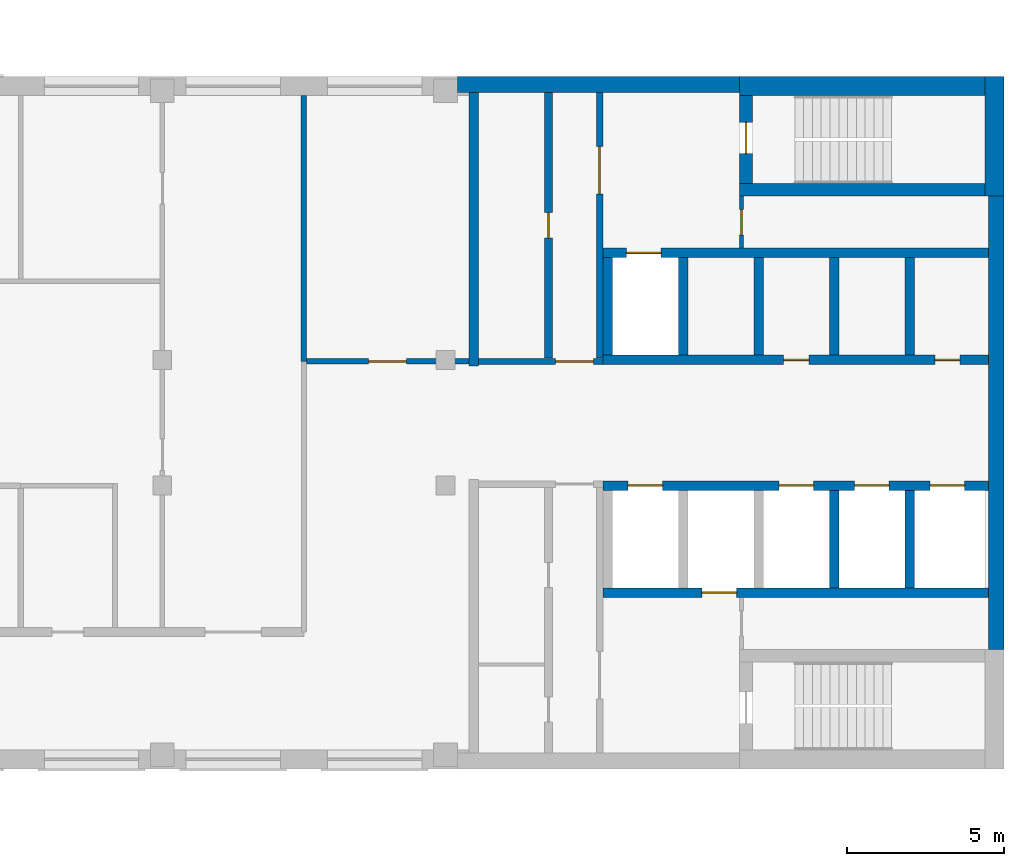
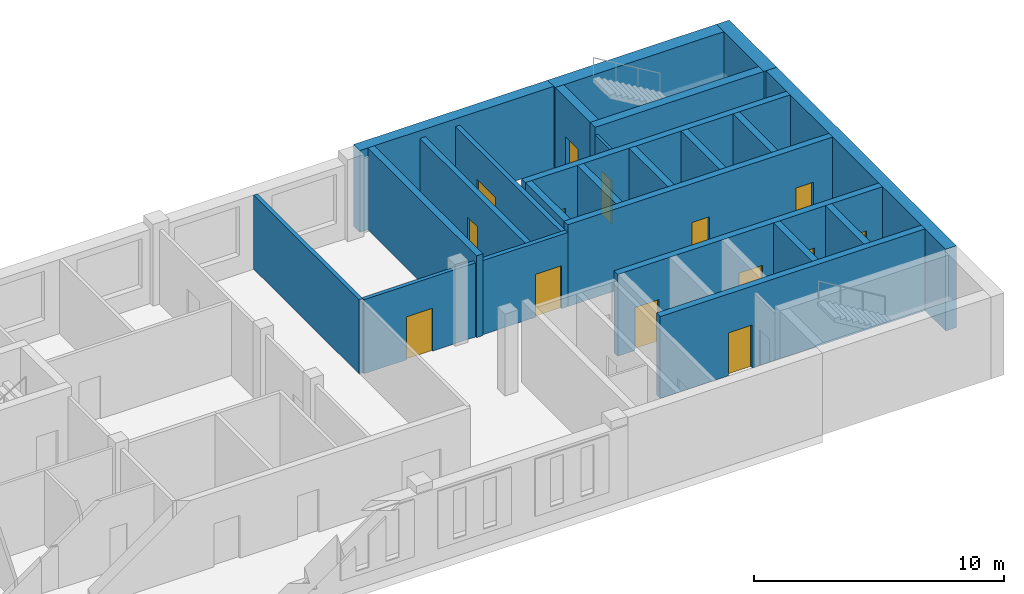
# One storey, part 6 of 10: 24 walls, 14 doors, 14 openings.
"""IFC4 building model written with IfcOpenShell, lengths in metres."""

from ifc_helpers import new_model, si_unit, direction, frame, frame_2d, origin, place, context, subcontext, project, spatial, rectangle, extrude, material, layer, layer_set, type_object, element, fill, save


model = new_model("IFC4")

# Units and contexts
model_context = context("Model", 3, precision=1e-05, world=origin(), true_north=direction((0.0, 1.0)))
body_context = subcontext(model_context, "Body", "Model", "MODEL_VIEW")
ifc_project = project(units=[si_unit("LENGTHUNIT", "METRE"), si_unit("AREAUNIT", "SQUARE_METRE"), si_unit("VOLUMEUNIT", "CUBIC_METRE"), si_unit("PLANEANGLEUNIT", "RADIAN"), si_unit("MASSUNIT", "GRAM", prefix="KILO")], contexts=[model_context])

# Site, building, storey
site_placement = place(None, origin())
site = spatial("IfcSite", under=ifc_project, at=site_placement, CompositionType="ELEMENT")
building_placement = place(site_placement, origin())
building = spatial("IfcBuilding", under=site, at=building_placement, Name="Skarvind Civic Tower", CompositionType="ELEMENT")
storey_placement = place(building_placement, frame((0.0, 0.0, 192.0)))
storey = spatial("IfcBuildingStorey", under=building, at=storey_placement, Name="L45", CompositionType="ELEMENT", Elevation=192.0)

# Wall
ifc_material_1 = material(Name="Acoustic gypsum board on steel studs", Category="steel")
ifc_layer_1 = layer(ifc_material_1, 0.175048828125)
ifc_layer_set_1 = layer_set([ifc_layer_1], Name="ACOUSTIC MEETING-ROOM PARTITION 175")
wall_type_1 = type_object("IfcWallType", Name="ACOUSTIC MEETING-ROOM PARTITION 175", PredefinedType="PARTITIONING", material=ifc_layer_set_1)
wall_1_placement = place(storey_placement, frame((85.75, 129.949951171875, 0.0), z_axis=(0.0, 0.0, 1.0), x_axis=(0.0, 1.0, 0.0)))
element("IfcWall", 1, at=wall_1_placement, inside=storey, type_object=wall_type_1, Name="Partition 45.038", PredefinedType="PARTITIONING", context=body_context, shape_type="SweptSolid", body=[
    extrude(rectangle(XDim=8.449951171875, YDim=0.175048828125, at=frame_2d((4.22509765625, 0.0))), origin(), (0.0, 0.0, 1.0), 3.625),
])

# Wall, opening, door
wall_2_placement = place(storey_placement, frame((85.837890625, 129.949951171875, 0.0), z_axis=(0.0, 0.0, 1.0), x_axis=(1.0, 0.0, 0.0)))
wall_2 = element("IfcWall", 2, at=wall_2_placement, inside=storey, type_object=wall_type_1, Name="Partition 45.039", PredefinedType="PARTITIONING", context=body_context, shape_type="SweptSolid", body=[
    extrude(rectangle(XDim=5.162109375, YDim=0.175048828125, at=frame_2d((2.5810546875, 0.0))), origin(), (0.0, 0.0, 1.0), 3.625),
])
opening_1_placement = place(wall_2_placement, frame((1.970947265625, 0.0, 0.0)))
opening_1 = element("IfcOpeningElement", 3, at=opening_1_placement, cuts=wall_2, Name="Opening L45-D001", PredefinedType="OPENING", context=body_context, shape_type="SweptSolid", body=[
    extrude(rectangle(XDim=1.199951171875, YDim=2.10009765625, at=frame_2d((0.60009765625, 1.050048828125))), frame((0.0, 0.097412109375, 0.0), z_axis=(0.0, -1.0, 0.0), x_axis=(1.0, 0.0, 0.0)), (0.0, 0.0, 1.0), 0.195068359375),
])
ifc_material_2 = material(Name="Timber door leaf", Category="wood")
door_type_1 = type_object("IfcDoorType", Name="DOOR 1200X2100 DOUBLE TIMBER", OperationType="NOTDEFINED", PredefinedType="DOOR", material=ifc_material_2)
door_1_placement = place(opening_1_placement, origin())
door_1 = element("IfcDoor", 4, at=door_1_placement, inside=storey, type_object=door_type_1, Name="Door L45-D001", OperationType="DOUBLE_DOOR_SINGLE_SWING", OverallHeight=2.10009765625, OverallWidth=1.199951171875, PredefinedType="DOOR", context=body_context, shape_type="SweptSolid", body=[
    extrude(rectangle(XDim=1.199951171875, YDim=2.10009765625, at=frame_2d((0.60009765625, 1.050048828125))), frame((0.0, 0.02490234375, 0.0), z_axis=(0.0, -1.0, 0.0), x_axis=(1.0, 0.0, 0.0)), (0.0, 0.0, 1.0), 0.050048828125),
])
fill(opening_1, door_1)

ifc_material_3 = material(Name="Fire-rated masonry partition", Category="masonry")
ifc_layer_2 = layer(ifc_material_3, 0.199951171875)
ifc_layer_set_2 = layer_set([ifc_layer_2], Name="Core enclosure wall 200")
wall_type_2 = type_object("IfcWallType", Name="Core enclosure wall 200", PredefinedType="PARTITIONING", material=ifc_layer_set_2)
wall_3_placement = place(storey_placement, frame((91.300048828125, 129.949951171875, 0.0), z_axis=(0.0, 0.0, 1.0), x_axis=(1.0, 0.0, 0.0)))
wall_3 = element("IfcWall", 5, at=wall_3_placement, inside=storey, type_object=wall_type_2, Name="Core wall C1", PredefinedType="PARTITIONING", context=body_context, shape_type="SweptSolid", body=[
    extrude(rectangle(XDim=3.949951171875, YDim=0.199951171875, at=frame_2d((1.97509765625, 0.0))), origin(), (0.0, 0.0, 1.0), 3.625),
])
opening_2_placement = place(wall_3_placement, frame((2.449951171875, 0.0, 0.0)))
opening_2 = element("IfcOpeningElement", 6, at=opening_2_placement, cuts=wall_3, Name="Opening D-L45-C1-13", PredefinedType="OPENING", context=body_context, shape_type="SweptSolid", body=[
    extrude(rectangle(XDim=1.199951171875, YDim=2.10009765625, at=frame_2d((0.60009765625, 1.050048828125))), frame((0.0, 0.10986328125, 0.0), z_axis=(0.0, -1.0, 0.0), x_axis=(1.0, 0.0, 0.0)), (0.0, 0.0, 1.0), 0.219970703125),
])
ifc_material_4 = material(Name="Fire-rated steel door", Category="steel")
door_type_2 = type_object("IfcDoorType", Name="Core lobby door 1200", OperationType="NOTDEFINED", PredefinedType="DOOR", material=ifc_material_4)
door_2_placement = place(opening_2_placement, origin())
door_2 = element("IfcDoor", 7, at=door_2_placement, inside=storey, type_object=door_type_2, Name="Fire door", OperationType="DOUBLE_DOOR_SINGLE_SWING", OverallHeight=2.10009765625, OverallWidth=1.199951171875, PredefinedType="DOOR", context=body_context, shape_type="SweptSolid", body=[
    extrude(rectangle(XDim=1.199951171875, YDim=2.10009765625, at=frame_2d((0.60009765625, 1.050048828125))), frame((0.0, 0.02490234375, 0.0), z_axis=(0.0, -1.0, 0.0), x_axis=(1.0, 0.0, 0.0)), (0.0, 0.0, 1.0), 0.050048828125),
])
fill(opening_2, door_2)

wall_4_placement = place(storey_placement, frame((95.14990234375, 130.050048828125, 0.0), z_axis=(0.0, 0.0, 1.0), x_axis=(0.0, 1.0, 0.0)))
wall_4 = element("IfcWall", 8, at=wall_4_placement, inside=storey, type_object=wall_type_2, Name="Core wall C1", PredefinedType="PARTITIONING", context=body_context, shape_type="SweptSolid", body=[
    extrude(rectangle(XDim=8.449951171875, YDim=0.199951171875, at=frame_2d((4.22509765625, 0.0))), origin(), (0.0, 0.0, 1.0), 3.625),
])
opening_3_placement = place(wall_4_placement, frame((5.22509765625, 0.0, 0.0)))
opening_3 = element("IfcOpeningElement", 9, at=opening_3_placement, cuts=wall_4, Name="Opening D-L45-C1-14", PredefinedType="OPENING", context=body_context, shape_type="SweptSolid", body=[
    extrude(rectangle(XDim=1.5, YDim=2.10009765625, at=frame_2d((0.75, 1.050048828125))), frame((0.0, 0.10986328125, 0.0), z_axis=(0.0, -1.0, 0.0), x_axis=(1.0, 0.0, 0.0)), (0.0, 0.0, 1.0), 0.219970703125),
])
door_type_3 = type_object("IfcDoorType", Name="Fire door 1500", OperationType="NOTDEFINED", PredefinedType="DOOR", material=ifc_material_4)
door_3_placement = place(opening_3_placement, origin())
door_3 = element("IfcDoor", 10, at=door_3_placement, inside=storey, type_object=door_type_3, Name="Fire door", OperationType="DOUBLE_DOOR_SINGLE_SWING", OverallHeight=2.10009765625, OverallWidth=1.5, PredefinedType="DOOR", context=body_context, shape_type="SweptSolid", body=[
    extrude(rectangle(XDim=1.5, YDim=2.10009765625, at=frame_2d((0.75, 1.050048828125))), frame((0.0, 0.02490234375, 0.0), z_axis=(0.0, -1.0, 0.0), x_axis=(1.0, 0.0, 0.0)), (0.0, 0.0, 1.0), 0.050048828125),
])
fill(opening_3, door_3)

# Wall, openings, doors
ifc_material_5 = material(Name="Concrete C60", Category="concrete")
ifc_layer_3 = layer(ifc_material_5, 0.300048828125)
ifc_layer_set_3 = layer_set([ifc_layer_3], Name="Core wall 300 C60")
wall_type_3 = type_object("IfcWallType", Name="Core wall 300 C60", PredefinedType="SHEAR", material=ifc_layer_set_3)
wall_5_placement = place(storey_placement, frame((107.5, 130.0, 0.0), z_axis=(0.0, 0.0, 1.0), x_axis=(-1.0, 0.0, 0.0)))
wall_5 = element("IfcWall", 11, at=wall_5_placement, inside=storey, type_object=wall_type_3, Name="Core wall C1 south lift row front L45", PredefinedType="SHEAR", context=body_context, shape_type="SweptSolid", body=[
    extrude(rectangle(XDim=12.25, YDim=0.300048828125, at=frame_2d((6.125, 0.0))), origin(), (0.0, 0.0, 1.0), 4.0),
])
opening_4_placement = place(wall_5_placement, frame((0.89990234375, 0.0, 0.0)))
opening_4 = element("IfcOpeningElement", 12, at=opening_4_placement, cuts=wall_5, Name="Opening D-L45-C1-05", PredefinedType="OPENING", context=body_context, shape_type="SweptSolid", body=[
    extrude(rectangle(XDim=0.800048828125, YDim=2.10009765625, at=frame_2d((0.39990234375, 1.050048828125))), frame((0.0, 0.159912109375, 0.0), z_axis=(0.0, -1.0, 0.0), x_axis=(1.0, 0.0, 0.0)), (0.0, 0.0, 1.0), 0.320068359375),
])
opening_5_placement = place(wall_5_placement, frame((5.699951171875, 0.0, 0.0)))
opening_5 = element("IfcOpeningElement", 13, at=opening_5_placement, cuts=wall_5, Name="Opening D-L45-C1-06", PredefinedType="OPENING", context=body_context, shape_type="SweptSolid", body=[
    extrude(rectangle(XDim=0.800048828125, YDim=2.10009765625, at=frame_2d((0.39990234375, 1.050048828125))), frame((0.0, 0.159912109375, 0.0), z_axis=(0.0, -1.0, 0.0), x_axis=(1.0, 0.0, 0.0)), (0.0, 0.0, 1.0), 0.320068359375),
])
door_type_4 = type_object("IfcDoorType", Name="Core riser door 800", OperationType="NOTDEFINED", PredefinedType="DOOR", material=ifc_material_4)
door_4_placement = place(opening_4_placement, origin())
door_4 = element("IfcDoor", 14, at=door_4_placement, inside=storey, type_object=door_type_4, Name="Riser door", OperationType="SINGLE_SWING_LEFT", OverallHeight=2.10009765625, OverallWidth=0.800048828125, PredefinedType="DOOR", context=body_context, shape_type="SweptSolid", body=[
    extrude(rectangle(XDim=0.800048828125, YDim=2.10009765625, at=frame_2d((0.39990234375, 1.050048828125))), frame((0.0, 0.02490234375, 0.0), z_axis=(0.0, -1.0, 0.0), x_axis=(1.0, 0.0, 0.0)), (0.0, 0.0, 1.0), 0.050048828125),
])
fill(opening_4, door_4)
door_5_placement = place(opening_5_placement, origin())
door_5 = element("IfcDoor", 15, at=door_5_placement, inside=storey, type_object=door_type_4, Name="Riser door", OperationType="SINGLE_SWING_RIGHT", OverallHeight=2.10009765625, OverallWidth=0.800048828125, PredefinedType="DOOR", context=body_context, shape_type="SweptSolid", body=[
    extrude(rectangle(XDim=0.800048828125, YDim=2.10009765625, at=frame_2d((0.39990234375, 1.050048828125))), frame((0.0, 0.02490234375, 0.0), z_axis=(0.0, -1.0, 0.0), x_axis=(1.0, 0.0, 0.0)), (0.0, 0.0, 1.0), 0.050048828125),
])
fill(opening_5, door_5)

# Wall, opening, door
wall_6_placement = place(storey_placement, frame((107.5, 133.39990234375, 0.0), z_axis=(0.0, 0.0, 1.0), x_axis=(-1.0, 0.0, 0.0)))
wall_6 = element("IfcWall", 16, at=wall_6_placement, inside=storey, type_object=wall_type_3, Name="Core wall C1 south lift row back L45", PredefinedType="SHEAR", context=body_context, shape_type="SweptSolid", body=[
    extrude(rectangle(XDim=12.25, YDim=0.300048828125, at=frame_2d((6.125, 0.0))), origin(), (0.0, 0.0, 1.0), 4.0),
])
opening_6_placement = place(wall_6_placement, frame((10.39990234375, 0.0, 0.0)))
opening_6 = element("IfcOpeningElement", 17, at=opening_6_placement, cuts=wall_6, Name="Opening LD47110", PredefinedType="OPENING", context=body_context, shape_type="SweptSolid", body=[
    extrude(rectangle(XDim=1.10009765625, YDim=2.10009765625, at=frame_2d((0.550048828125, 1.050048828125))), frame((0.0, 0.159912109375, 0.0), z_axis=(0.0, -1.0, 0.0), x_axis=(1.0, 0.0, 0.0)), (0.0, 0.0, 1.0), 0.320068359375),
])
ifc_material_6 = material(Name="Stainless steel landing door", Category="steel")
door_type_5 = type_object("IfcDoorType", Name="Lift landing door 1100", OperationType="DOUBLE_DOOR_SLIDING", PredefinedType="DOOR", material=ifc_material_6)
door_6_placement = place(opening_6_placement, origin())
door_6 = element("IfcDoor", 18, at=door_6_placement, inside=storey, type_object=door_type_5, Name="Lift landing door", OperationType="DOUBLE_DOOR_SLIDING", OverallHeight=2.10009765625, OverallWidth=1.10009765625, PredefinedType="DOOR", context=body_context, shape_type="SweptSolid", body=[
    extrude(rectangle(XDim=1.10009765625, YDim=2.10009765625, at=frame_2d((0.550048828125, 1.050048828125))), frame((0.0, 0.02490234375, 0.0), z_axis=(0.0, -1.0, 0.0), x_axis=(1.0, 0.0, 0.0)), (0.0, 0.0, 1.0), 0.050048828125),
])
fill(opening_6, door_6)

# Walls
for number, where, z_axis, x_axis, name in (
    (19, (105.0, 133.25, 0.0), (0.0, 0.0, 1.0), (0.0, -1.0, 0.0), "Core wall C1 south lift row division 1 L45"),
    (20, (102.60009765625, 133.25, 0.0), (0.0, 0.0, 1.0), (0.0, -1.0, 0.0), "Core wall C1 south lift row division 2 L45"),
    (21, (100.199951171875, 133.25, 0.0), (0.0, 0.0, 1.0), (0.0, -1.0, 0.0), "Core wall C1 south lift row division 3 L45"),
    (22, (97.800048828125, 133.25, 0.0), (0.0, 0.0, 1.0), (0.0, -1.0, 0.0), "Core wall C1 south lift row division 4 L45"),
    (23, (95.39990234375, 133.25, 0.0), (0.0, 0.0, 1.0), (0.0, -1.0, 0.0), "Core wall C1 south lift row division 5 L45"),
):
    element("IfcWall", number, at=place(storey_placement, frame(where, z_axis=z_axis, x_axis=x_axis)), inside=storey, type_object=wall_type_3, Name=name, PredefinedType="SHEAR", context=body_context, shape_type="SweptSolid", body=[
        extrude(rectangle(XDim=3.10009765625, YDim=0.300048828125, at=frame_2d((1.550048828125, 0.0))), origin(), (0.0, 0.0, 1.0), 4.0),
    ])

# Wall, openings, doors
wall_7_placement = place(storey_placement, frame((107.5, 126.0, 0.0), z_axis=(0.0, 0.0, 1.0), x_axis=(-1.0, 0.0, 0.0)))
wall_7 = element("IfcWall", 24, at=wall_7_placement, inside=storey, type_object=wall_type_3, Name="Core wall C1 north lift row front L45", PredefinedType="SHEAR", context=body_context, shape_type="SweptSolid", body=[
    extrude(rectangle(XDim=12.25, YDim=0.300048828125, at=frame_2d((6.125, 0.0))), origin(), (0.0, 0.0, 1.0), 4.0),
])
opening_7_placement = place(wall_7_placement, frame((0.75, 0.0, 0.0)))
opening_7 = element("IfcOpeningElement", 25, at=opening_7_placement, cuts=wall_7, Name="Opening LD47101", PredefinedType="OPENING", context=body_context, shape_type="SweptSolid", body=[
    extrude(rectangle(XDim=1.10009765625, YDim=2.10009765625, at=frame_2d((0.550048828125, 1.050048828125))), frame((0.0, 0.159912109375, 0.0), z_axis=(0.0, -1.0, 0.0), x_axis=(1.0, 0.0, 0.0)), (0.0, 0.0, 1.0), 0.320068359375),
])
opening_8_placement = place(wall_7_placement, frame((3.14990234375, 0.0, 0.0)))
opening_8 = element("IfcOpeningElement", 26, at=opening_8_placement, cuts=wall_7, Name="Opening LD47102", PredefinedType="OPENING", context=body_context, shape_type="SweptSolid", body=[
    extrude(rectangle(XDim=1.10009765625, YDim=2.10009765625, at=frame_2d((0.550048828125, 1.050048828125))), frame((0.0, 0.159912109375, 0.0), z_axis=(0.0, -1.0, 0.0), x_axis=(1.0, 0.0, 0.0)), (0.0, 0.0, 1.0), 0.320068359375),
])
opening_9_placement = place(wall_7_placement, frame((5.550048828125, 0.0, 0.0)))
opening_9 = element("IfcOpeningElement", 27, at=opening_9_placement, cuts=wall_7, Name="Opening LD47103", PredefinedType="OPENING", context=body_context, shape_type="SweptSolid", body=[
    extrude(rectangle(XDim=1.10009765625, YDim=2.10009765625, at=frame_2d((0.550048828125, 1.050048828125))), frame((0.0, 0.159912109375, 0.0), z_axis=(0.0, -1.0, 0.0), x_axis=(1.0, 0.0, 0.0)), (0.0, 0.0, 1.0), 0.320068359375),
])
opening_10_placement = place(wall_7_placement, frame((10.35009765625, 0.0, 0.0)))
opening_10 = element("IfcOpeningElement", 28, at=opening_10_placement, cuts=wall_7, Name="Opening LD47105", PredefinedType="OPENING", context=body_context, shape_type="SweptSolid", body=[
    extrude(rectangle(XDim=1.10009765625, YDim=2.10009765625, at=frame_2d((0.550048828125, 1.050048828125))), frame((0.0, 0.159912109375, 0.0), z_axis=(0.0, -1.0, 0.0), x_axis=(1.0, 0.0, 0.0)), (0.0, 0.0, 1.0), 0.320068359375),
])
door_7_placement = place(opening_7_placement, origin())
door_7 = element("IfcDoor", 29, at=door_7_placement, inside=storey, type_object=door_type_5, Name="Lift landing door", OperationType="DOUBLE_DOOR_SLIDING", OverallHeight=2.10009765625, OverallWidth=1.10009765625, PredefinedType="DOOR", context=body_context, shape_type="SweptSolid", body=[
    extrude(rectangle(XDim=1.10009765625, YDim=2.10009765625, at=frame_2d((0.550048828125, 1.050048828125))), frame((0.0, 0.02490234375, 0.0), z_axis=(0.0, -1.0, 0.0), x_axis=(1.0, 0.0, 0.0)), (0.0, 0.0, 1.0), 0.050048828125),
])
fill(opening_7, door_7)
door_8_placement = place(opening_8_placement, origin())
door_8 = element("IfcDoor", 30, at=door_8_placement, inside=storey, type_object=door_type_5, Name="Lift landing door", OperationType="DOUBLE_DOOR_SLIDING", OverallHeight=2.10009765625, OverallWidth=1.10009765625, PredefinedType="DOOR", context=body_context, shape_type="SweptSolid", body=[
    extrude(rectangle(XDim=1.10009765625, YDim=2.10009765625, at=frame_2d((0.550048828125, 1.050048828125))), frame((0.0, 0.02490234375, 0.0), z_axis=(0.0, -1.0, 0.0), x_axis=(1.0, 0.0, 0.0)), (0.0, 0.0, 1.0), 0.050048828125),
])
fill(opening_8, door_8)
door_9_placement = place(opening_9_placement, origin())
door_9 = element("IfcDoor", 31, at=door_9_placement, inside=storey, type_object=door_type_5, Name="Lift landing door", OperationType="DOUBLE_DOOR_SLIDING", OverallHeight=2.10009765625, OverallWidth=1.10009765625, PredefinedType="DOOR", context=body_context, shape_type="SweptSolid", body=[
    extrude(rectangle(XDim=1.10009765625, YDim=2.10009765625, at=frame_2d((0.550048828125, 1.050048828125))), frame((0.0, 0.02490234375, 0.0), z_axis=(0.0, -1.0, 0.0), x_axis=(1.0, 0.0, 0.0)), (0.0, 0.0, 1.0), 0.050048828125),
])
fill(opening_9, door_9)
door_10_placement = place(opening_10_placement, origin())
door_10 = element("IfcDoor", 32, at=door_10_placement, inside=storey, type_object=door_type_5, Name="Lift landing door", OperationType="DOUBLE_DOOR_SLIDING", OverallHeight=2.10009765625, OverallWidth=1.10009765625, PredefinedType="DOOR", context=body_context, shape_type="SweptSolid", body=[
    extrude(rectangle(XDim=1.10009765625, YDim=2.10009765625, at=frame_2d((0.550048828125, 1.050048828125))), frame((0.0, 0.02490234375, 0.0), z_axis=(0.0, -1.0, 0.0), x_axis=(1.0, 0.0, 0.0)), (0.0, 0.0, 1.0), 0.050048828125),
])
fill(opening_10, door_10)

# Wall, opening, door
wall_8_placement = place(storey_placement, frame((107.5, 122.60009765625, 0.0), z_axis=(0.0, 0.0, 1.0), x_axis=(-1.0, 0.0, 0.0)))
wall_8 = element("IfcWall", 33, at=wall_8_placement, inside=storey, type_object=wall_type_3, Name="Core wall C1 north lift row back L45", PredefinedType="SHEAR", context=body_context, shape_type="SweptSolid", body=[
    extrude(rectangle(XDim=12.25, YDim=0.300048828125, at=frame_2d((6.125, 0.0))), origin(), (0.0, 0.0, 1.0), 4.0),
])
opening_11_placement = place(wall_8_placement, frame((8.0, 0.0, 0.0)))
opening_11 = element("IfcOpeningElement", 34, at=opening_11_placement, cuts=wall_8, Name="Opening LD47104", PredefinedType="OPENING", context=body_context, shape_type="SweptSolid", body=[
    extrude(rectangle(XDim=1.10009765625, YDim=2.10009765625, at=frame_2d((0.550048828125, 1.050048828125))), frame((0.0, 0.159912109375, 0.0), z_axis=(0.0, -1.0, 0.0), x_axis=(1.0, 0.0, 0.0)), (0.0, 0.0, 1.0), 0.320068359375),
])
door_11_placement = place(opening_11_placement, origin())
door_11 = element("IfcDoor", 35, at=door_11_placement, inside=storey, type_object=door_type_5, Name="Lift landing door", OperationType="DOUBLE_DOOR_SLIDING", OverallHeight=2.10009765625, OverallWidth=1.10009765625, PredefinedType="DOOR", context=body_context, shape_type="SweptSolid", body=[
    extrude(rectangle(XDim=1.10009765625, YDim=2.10009765625, at=frame_2d((0.550048828125, 1.050048828125))), frame((0.0, 0.02490234375, 0.0), z_axis=(0.0, -1.0, 0.0), x_axis=(1.0, 0.0, 0.0)), (0.0, 0.0, 1.0), 0.050048828125),
])
fill(opening_11, door_11)

# Walls
for number, where, z_axis, x_axis, name in (
    (36, (105.0, 125.85009765625, 0.0), (0.0, 0.0, 1.0), (0.0, -1.0, 0.0), "Core wall C1 north lift row division 1 L45"),
    (37, (102.60009765625, 125.85009765625, 0.0), (0.0, 0.0, 1.0), (0.0, -1.0, 0.0), "Core wall C1 north lift row division 2 L45"),
):
    element("IfcWall", number, at=place(storey_placement, frame(where, z_axis=z_axis, x_axis=x_axis)), inside=storey, type_object=wall_type_3, Name=name, PredefinedType="SHEAR", context=body_context, shape_type="SweptSolid", body=[
        extrude(rectangle(XDim=3.10009765625, YDim=0.300048828125, at=frame_2d((1.550048828125, 0.0))), origin(), (0.0, 0.0, 1.0), 4.0),
    ])
wall_9_placement = place(storey_placement, frame((91.14990234375, 138.5, 0.0), z_axis=(0.0, 0.0, 1.0), x_axis=(0.0, -1.0, 0.0)))
element("IfcWall", 38, at=wall_9_placement, inside=storey, type_object=wall_type_3, Name="Core wall C1 south inner face L45", PredefinedType="SHEAR", context=body_context, shape_type="SweptSolid", body=[
    extrude(rectangle(XDim=8.699951171875, YDim=0.300048828125, at=frame_2d((4.35009765625, 0.0))), origin(), (0.0, 0.0, 1.0), 4.0),
])
ifc_layer_4 = layer(ifc_material_5, 0.39990234375)
ifc_layer_set_4 = layer_set([ifc_layer_4], Name="Core wall 400 C60")
wall_type_4 = type_object("IfcWallType", Name="Core wall 400 C60", PredefinedType="SHEAR", material=ifc_layer_set_4)
wall_10_placement = place(storey_placement, frame((107.39990234375, 135.39990234375, 0.0), z_axis=(0.0, 0.0, 1.0), x_axis=(-1.0, 0.0, 0.0)))
element("IfcWall", 39, at=wall_10_placement, inside=storey, type_object=wall_type_4, Name="Core wall C1 south stair inner L45", PredefinedType="SHEAR", context=body_context, shape_type="SweptSolid", body=[
    extrude(rectangle(XDim=7.7998046875, YDim=0.39990234375, at=frame_2d((3.89990234375, 0.0))), origin(), (0.0, 0.0, 1.0), 4.0),
])

# Wall, opening, door
wall_11_placement = place(storey_placement, frame((99.800048828125, 138.39990234375, 0.0), z_axis=(0.0, 0.0, 1.0), x_axis=(0.0, -1.0, 0.0)))
wall_11 = element("IfcWall", 40, at=wall_11_placement, inside=storey, type_object=wall_type_4, Name="Core wall C1 south stair end L45", PredefinedType="SHEAR", context=body_context, shape_type="SweptSolid", body=[
    extrude(rectangle(XDim=2.7998046875, YDim=0.39990234375, at=frame_2d((1.39990234375, 0.0))), origin(), (0.0, 0.0, 1.0), 4.0),
])
opening_12_placement = place(wall_11_placement, frame((0.85009765625, 0.0, 0.0)))
opening_12 = element("IfcOpeningElement", 41, at=opening_12_placement, cuts=wall_11, Name="Opening D-L45-C1-15", PredefinedType="OPENING", context=body_context, shape_type="SweptSolid", body=[
    extrude(rectangle(XDim=1.0, YDim=2.10009765625, at=frame_2d((0.5, 1.050048828125))), frame((0.0, 0.2099609375, 0.0), z_axis=(0.0, -1.0, 0.0), x_axis=(1.0, 0.0, 0.0)), (0.0, 0.0, 1.0), 0.419921875),
])
door_type_6 = type_object("IfcDoorType", Name="Fire door 1000", OperationType="NOTDEFINED", PredefinedType="DOOR", material=ifc_material_4)
door_12_placement = place(opening_12_placement, origin())
door_12 = element("IfcDoor", 42, at=door_12_placement, inside=storey, type_object=door_type_6, Name="Fire door", OperationType="SINGLE_SWING_RIGHT", OverallHeight=2.10009765625, OverallWidth=1.0, PredefinedType="DOOR", context=body_context, shape_type="SweptSolid", body=[
    extrude(rectangle(XDim=1.0, YDim=2.10009765625, at=frame_2d((0.5, 1.050048828125))), frame((0.0, 0.02490234375, 0.0), z_axis=(0.0, -1.0, 0.0), x_axis=(1.0, 0.0, 0.0)), (0.0, 0.0, 1.0), 0.050048828125),
])
fill(opening_12, door_12)

# Walls
ifc_layer_5 = layer(ifc_material_5, 0.5)
ifc_layer_set_5 = layer_set([ifc_layer_5], Name="Core wall 500 C60")
wall_type_5 = type_object("IfcWallType", Name="Core wall 500 C60", PredefinedType="SHEAR", material=ifc_layer_set_5)
wall_12_placement = place(storey_placement, frame((107.75, 135.199951171875, 0.0), z_axis=(0.0, 0.0, 1.0), x_axis=(0.0, -1.0, 0.0)))
element("IfcWall", 43, at=wall_12_placement, inside=storey, type_object=wall_type_5, Name="Core wall C1 tip between the stairs L45", PredefinedType="SHEAR", context=body_context, shape_type="SweptSolid", body=[
    extrude(rectangle(XDim=14.39990234375, YDim=0.5, at=frame_2d((7.199951171875, 0.0))), origin(), (0.0, 0.0, 1.0), 4.0),
])
wall_13_placement = place(storey_placement, frame((99.60009765625, 138.75, 0.0), z_axis=(0.0, 0.0, 1.0), x_axis=(-1.0, 0.0, 0.0)))
element("IfcWall", 44, at=wall_13_placement, inside=storey, type_object=wall_type_5, Name="Core wall C1 south side L45", PredefinedType="SHEAR", context=body_context, shape_type="SweptSolid", body=[
    extrude(rectangle(XDim=8.97509765625, YDim=0.5, at=frame_2d((4.487548828125, 0.0))), origin(), (0.0, 0.0, 1.0), 4.0),
])
ifc_layer_6 = layer(ifc_material_5, 0.60009765625)
ifc_layer_set_6 = layer_set([ifc_layer_6], Name="Core wall 600 C60")
wall_type_6 = type_object("IfcWallType", Name="Core wall 600 C60", PredefinedType="SHEAR", material=ifc_layer_set_6)
wall_14_placement = place(storey_placement, frame((107.699951171875, 139.0, 0.0), z_axis=(0.0, 0.0, 1.0), x_axis=(0.0, -1.0, 0.0)))
element("IfcWall", 45, at=wall_14_placement, inside=storey, type_object=wall_type_6, Name="Core wall C1 tip at the south stair L45", PredefinedType="SHEAR", context=body_context, shape_type="SweptSolid", body=[
    extrude(rectangle(XDim=3.800048828125, YDim=0.60009765625, at=frame_2d((1.89990234375, 0.0))), origin(), (0.0, 0.0, 1.0), 4.0),
])
wall_15_placement = place(storey_placement, frame((107.39990234375, 138.699951171875, 0.0), z_axis=(0.0, 0.0, 1.0), x_axis=(-1.0, 0.0, 0.0)))
element("IfcWall", 46, at=wall_15_placement, inside=storey, type_object=wall_type_6, Name="Core wall C1 south side at the stair L45", PredefinedType="SHEAR", context=body_context, shape_type="SweptSolid", body=[
    extrude(rectangle(XDim=7.7998046875, YDim=0.60009765625, at=frame_2d((3.89990234375, 0.0))), origin(), (0.0, 0.0, 1.0), 4.0),
])

# Wall, opening, door
ifc_layer_7 = layer(ifc_material_3, 0.125)
ifc_layer_set_7 = layer_set([ifc_layer_7], Name="Riser wall 125")
wall_type_7 = type_object("IfcWallType", Name="Riser wall 125", PredefinedType="PARTITIONING", material=ifc_layer_set_7)
wall_16_placement = place(storey_placement, frame((99.66259765625, 133.550048828125, 0.0), z_axis=(0.0, 0.0, 1.0), x_axis=(0.0, 1.0, 0.0)))
wall_16 = element("IfcWall", 47, at=wall_16_placement, inside=storey, type_object=wall_type_7, Name="Core wall C1", PredefinedType="PARTITIONING", context=body_context, shape_type="SweptSolid", body=[
    extrude(rectangle(XDim=1.64990234375, YDim=0.125, at=frame_2d((0.824951171875, 0.0))), origin(), (0.0, 0.0, 1.0), 3.625),
])
opening_13_placement = place(wall_16_placement, frame((0.425048828125, 0.0, 0.0)))
opening_13 = element("IfcOpeningElement", 48, at=opening_13_placement, cuts=wall_16, Name="Opening D-L45-C1-16", PredefinedType="OPENING", context=body_context, shape_type="SweptSolid", body=[
    extrude(rectangle(XDim=0.800048828125, YDim=2.10009765625, at=frame_2d((0.39990234375, 1.050048828125))), frame((0.0, 0.072509765625, 0.0), z_axis=(0.0, -1.0, 0.0), x_axis=(1.0, 0.0, 0.0)), (0.0, 0.0, 1.0), 0.14501953125),
])
door_13_placement = place(opening_13_placement, origin())
door_13 = element("IfcDoor", 49, at=door_13_placement, inside=storey, type_object=door_type_4, Name="Riser door", OperationType="SINGLE_SWING_LEFT", OverallHeight=2.10009765625, OverallWidth=0.800048828125, PredefinedType="DOOR", context=body_context, shape_type="SweptSolid", body=[
    extrude(rectangle(XDim=0.800048828125, YDim=2.10009765625, at=frame_2d((0.39990234375, 1.050048828125))), frame((0.0, 0.02490234375, 0.0), z_axis=(0.0, -1.0, 0.0), x_axis=(1.0, 0.0, 0.0)), (0.0, 0.0, 1.0), 0.050048828125),
])
fill(opening_13, door_13)

ifc_layer_8 = layer(ifc_material_3, 0.25)
ifc_layer_set_8 = layer_set([ifc_layer_8], Name="Service block wall 250")
wall_type_8 = type_object("IfcWallType", Name="Service block wall 250", PredefinedType="PARTITIONING", material=ifc_layer_set_8)
wall_17_placement = place(storey_placement, frame((93.52490234375, 130.050048828125, 0.0), z_axis=(0.0, 0.0, 1.0), x_axis=(0.0, 1.0, 0.0)))
wall_17 = element("IfcWall", 50, at=wall_17_placement, inside=storey, type_object=wall_type_8, Name="Core wall C1", PredefinedType="PARTITIONING", context=body_context, shape_type="SweptSolid", body=[
    extrude(rectangle(XDim=8.449951171875, YDim=0.25, at=frame_2d((4.22509765625, 0.0))), origin(), (0.0, 0.0, 1.0), 3.625),
])
opening_14_placement = place(wall_17_placement, frame((3.824951171875, 0.0, 0.0)))
opening_14 = element("IfcOpeningElement", 51, at=opening_14_placement, cuts=wall_17, Name="Opening D-L45-C1-17", PredefinedType="OPENING", context=body_context, shape_type="SweptSolid", body=[
    extrude(rectangle(XDim=0.800048828125, YDim=2.10009765625, at=frame_2d((0.39990234375, 1.050048828125))), frame((0.0, 0.135009765625, 0.0), z_axis=(0.0, -1.0, 0.0), x_axis=(1.0, 0.0, 0.0)), (0.0, 0.0, 1.0), 0.27001953125),
])
door_14_placement = place(opening_14_placement, origin())
door_14 = element("IfcDoor", 52, at=door_14_placement, inside=storey, type_object=door_type_4, Name="Riser door", OperationType="SINGLE_SWING_RIGHT", OverallHeight=2.10009765625, OverallWidth=0.800048828125, PredefinedType="DOOR", context=body_context, shape_type="SweptSolid", body=[
    extrude(rectangle(XDim=0.800048828125, YDim=2.10009765625, at=frame_2d((0.39990234375, 1.050048828125))), frame((0.0, 0.02490234375, 0.0), z_axis=(0.0, -1.0, 0.0), x_axis=(1.0, 0.0, 0.0)), (0.0, 0.0, 1.0), 0.050048828125),
])
fill(opening_14, door_14)

save(model, "model.ifc")
